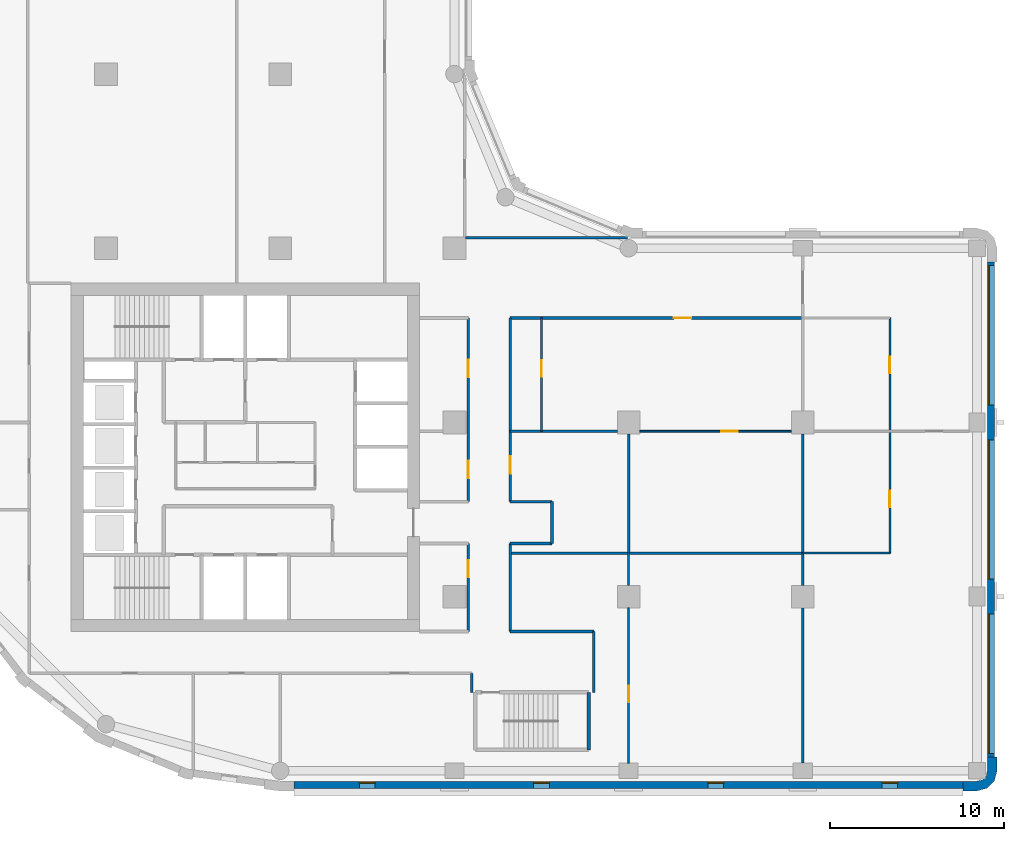
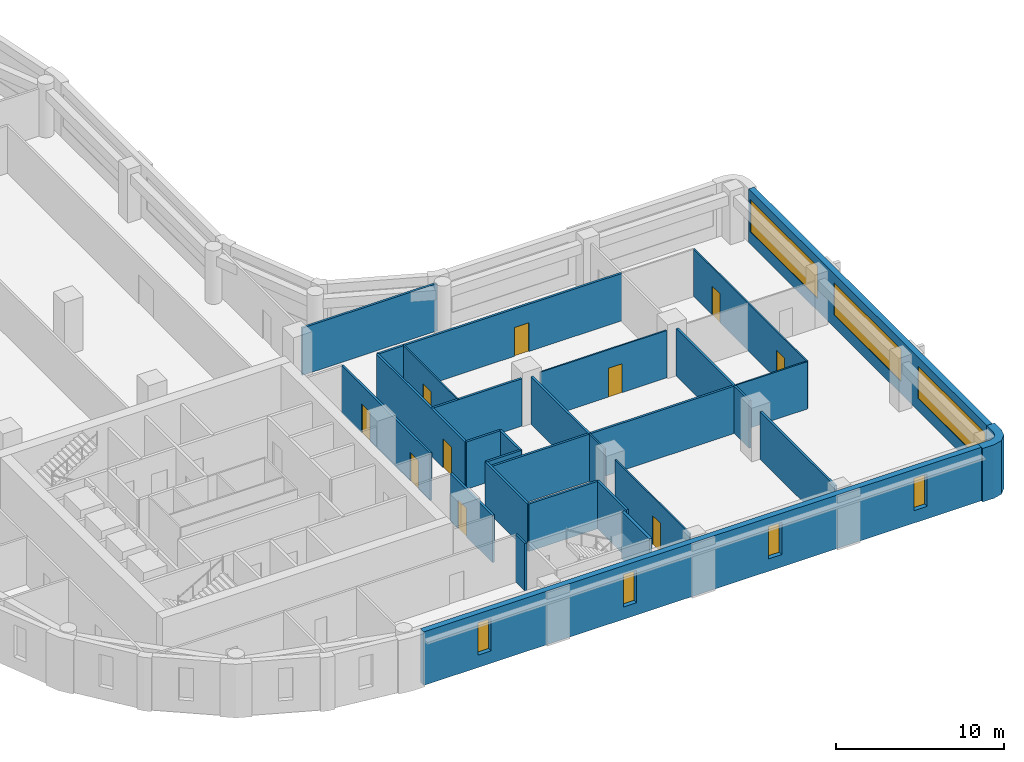
# One storey, part 4 of 9: 27 walls, 10 doors, 7 windows, 17 openings.
"""IFC4 building model written with IfcOpenShell, lengths in metres."""

from ifc_helpers import new_model, si_unit, direction, frame, frame_2d, origin, place, context, subcontext, project, spatial, polyline, rectangle, outline, extrude, material, layer, layer_set, type_object, element, fill, save


model = new_model("IFC4")

# Units and contexts
model_context = context("Model", 3, precision=1e-05, world=origin(), true_north=direction((0.0, 1.0)))
body_context = subcontext(model_context, "Body", "Model", "MODEL_VIEW")
ifc_project = project(units=[si_unit("LENGTHUNIT", "METRE"), si_unit("AREAUNIT", "SQUARE_METRE"), si_unit("VOLUMEUNIT", "CUBIC_METRE"), si_unit("PLANEANGLEUNIT", "RADIAN"), si_unit("MASSUNIT", "GRAM", prefix="KILO")], contexts=[model_context])

# Site, building, storey
site_placement = place(None, origin())
site = spatial("IfcSite", under=ifc_project, at=site_placement, CompositionType="ELEMENT")
building_placement = place(site_placement, origin())
building = spatial("IfcBuilding", under=site, at=building_placement, Name="Qaws Garden Tower", CompositionType="ELEMENT")
storey_placement = place(building_placement, frame((0.0, 0.0, 233.10009765625)))
storey = spatial("IfcBuildingStorey", under=building, at=storey_placement, Name="L57", CompositionType="ELEMENT", Elevation=233.10009765625)

# Wall
ifc_material_1 = material(Name="Buff clay facing brick masonry", Category="masonry")
ifc_layer_1 = layer(ifc_material_1, 0.550048828125)
ifc_layer_set_1 = layer_set([ifc_layer_1], Name="Buff clay facing brick masonry")
wall_type_1 = type_object("IfcWallType", Name="Buff brick corner pier 550 x 2400", PredefinedType="SOLIDWALL", material=ifc_layer_set_1)
wall_1_placement = place(storey_placement, origin())
element("IfcWall", 1, at=wall_1_placement, inside=storey, type_object=wall_type_1, Name="E-L57-pier-04", PredefinedType="SOLIDWALL", context=body_context, shape_type="SweptSolid", body=[
    extrude(outline(polyline([(59.199951171875, -1.0), (59.199951171875, -1.14990234375), (60.0, -1.14990234375), (60.574951171875, -0.995849609375), (60.995849609375, -0.574951171875), (61.14990234375, 0.0), (61.14990234375, 0.800048828125), (61.0, 0.800048828125), (60.60009765625, 0.800048828125), (60.60009765625, 0.0), (60.51953125, -0.300048828125), (60.300048828125, -0.51953125), (60.0, -0.60009765625), (59.199951171875, -0.60009765625), (59.199951171875, -1.0)])), origin(), (0.0, 0.0, 1.0), 3.89990234375),
])

# Wall, openings, windows
ifc_material_2 = material(Name="Buff clay facing brick masonry", Category="masonry")
ifc_layer_2 = layer(ifc_material_2, 0.39990234375)
ifc_layer_set_2 = layer_set([ifc_layer_2], Name="Buff clay facing brick masonry")
wall_type_2 = type_object("IfcWallType", Name="Buff brick infill wall 400", PredefinedType="SOLIDWALL", material=ifc_layer_set_2)
wall_2_placement = place(storey_placement, frame((20.800048828125, -0.800048828125, 0.0), z_axis=(0.0, 0.0, 1.0), x_axis=(1.0, 0.0, 0.0)))
wall_2 = element("IfcWall", 2, at=wall_2_placement, inside=storey, type_object=wall_type_2, Name="E-L57-infill-00", PredefinedType="SOLIDWALL", context=body_context, shape_type="SweptSolid", body=[
    extrude(rectangle(XDim=38.39990234375, YDim=0.39990234375, at=frame_2d((19.199951171875, 0.0))), origin(), (0.0, 0.0, 1.0), 3.89990234375),
])
opening_1_placement = place(wall_2_placement, frame((3.75, 0.0, 0.89990234375)))
opening_1 = element("IfcOpeningElement", 3, at=opening_1_placement, cuts=wall_2, Name="Opening W09", PredefinedType="OPENING", context=body_context, shape_type="SweptSolid", body=[
    extrude(rectangle(XDim=0.89990234375, YDim=2.35009765625, at=frame_2d((0.449951171875, 1.175048828125))), frame((0.0, 0.2099609375, 0.0), z_axis=(0.0, -1.0, 0.0), x_axis=(1.0, 0.0, 0.0)), (0.0, 0.0, 1.0), 0.419921875),
])
opening_2_placement = place(wall_2_placement, frame((13.75, 0.0, 0.89990234375)))
opening_2 = element("IfcOpeningElement", 4, at=opening_2_placement, cuts=wall_2, Name="Opening W09", PredefinedType="OPENING", context=body_context, shape_type="SweptSolid", body=[
    extrude(rectangle(XDim=0.89990234375, YDim=2.35009765625, at=frame_2d((0.449951171875, 1.175048828125))), frame((0.0, 0.2099609375, 0.0), z_axis=(0.0, -1.0, 0.0), x_axis=(1.0, 0.0, 0.0)), (0.0, 0.0, 1.0), 0.419921875),
])
opening_3_placement = place(wall_2_placement, frame((23.75, 0.0, 0.89990234375)))
opening_3 = element("IfcOpeningElement", 5, at=opening_3_placement, cuts=wall_2, Name="Opening W09", PredefinedType="OPENING", context=body_context, shape_type="SweptSolid", body=[
    extrude(rectangle(XDim=0.89990234375, YDim=2.35009765625, at=frame_2d((0.449951171875, 1.175048828125))), frame((0.0, 0.2099609375, 0.0), z_axis=(0.0, -1.0, 0.0), x_axis=(1.0, 0.0, 0.0)), (0.0, 0.0, 1.0), 0.419921875),
])
opening_4_placement = place(wall_2_placement, frame((33.75, 0.0, 0.89990234375)))
opening_4 = element("IfcOpeningElement", 6, at=opening_4_placement, cuts=wall_2, Name="Opening W09", PredefinedType="OPENING", context=body_context, shape_type="SweptSolid", body=[
    extrude(rectangle(XDim=0.89990234375, YDim=2.35009765625, at=frame_2d((0.449951171875, 1.175048828125))), frame((0.0, 0.2099609375, 0.0), z_axis=(0.0, -1.0, 0.0), x_axis=(1.0, 0.0, 0.0)), (0.0, 0.0, 1.0), 0.419921875),
])
ifc_material_3 = material(Name="Aluminium framed window, clear glazing", Category="aluminium")
window_type_1 = type_object("IfcWindowType", Name="Slit window 900 x 2350", PartitioningType="SINGLE_PANEL", PredefinedType="WINDOW", material=ifc_material_3)
window_1_placement = place(opening_1_placement, origin())
window_1 = element("IfcWindow", 7, at=window_1_placement, inside=storey, type_object=window_type_1, Name="E-L57-window-00-0", OverallHeight=2.35009765625, OverallWidth=0.89990234375, PartitioningType="SINGLE_PANEL", PredefinedType="WINDOW", context=body_context, shape_type="SweptSolid", body=[
    extrude(rectangle(XDim=0.89990234375, YDim=2.35009765625, at=frame_2d((0.449951171875, 1.175048828125))), frame((0.0, 0.159912109375, 0.0), z_axis=(0.0, -1.0, 0.0), x_axis=(1.0, 0.0, 0.0)), (0.0, 0.0, 1.0), 0.06005859375),
])
fill(opening_1, window_1)
window_2_placement = place(opening_2_placement, origin())
window_2 = element("IfcWindow", 8, at=window_2_placement, inside=storey, type_object=window_type_1, Name="E-L57-window-01-0", OverallHeight=2.35009765625, OverallWidth=0.89990234375, PartitioningType="SINGLE_PANEL", PredefinedType="WINDOW", context=body_context, shape_type="SweptSolid", body=[
    extrude(rectangle(XDim=0.89990234375, YDim=2.35009765625, at=frame_2d((0.449951171875, 1.175048828125))), frame((0.0, 0.159912109375, 0.0), z_axis=(0.0, -1.0, 0.0), x_axis=(1.0, 0.0, 0.0)), (0.0, 0.0, 1.0), 0.06005859375),
])
fill(opening_2, window_2)
window_3_placement = place(opening_3_placement, origin())
window_3 = element("IfcWindow", 9, at=window_3_placement, inside=storey, type_object=window_type_1, Name="E-L57-window-02-0", OverallHeight=2.35009765625, OverallWidth=0.89990234375, PartitioningType="SINGLE_PANEL", PredefinedType="WINDOW", context=body_context, shape_type="SweptSolid", body=[
    extrude(rectangle(XDim=0.89990234375, YDim=2.35009765625, at=frame_2d((0.449951171875, 1.175048828125))), frame((0.0, 0.159912109375, 0.0), z_axis=(0.0, -1.0, 0.0), x_axis=(1.0, 0.0, 0.0)), (0.0, 0.0, 1.0), 0.06005859375),
])
fill(opening_3, window_3)
window_4_placement = place(opening_4_placement, origin())
window_4 = element("IfcWindow", 10, at=window_4_placement, inside=storey, type_object=window_type_1, Name="E-L57-window-03-0", OverallHeight=2.35009765625, OverallWidth=0.89990234375, PartitioningType="SINGLE_PANEL", PredefinedType="WINDOW", context=body_context, shape_type="SweptSolid", body=[
    extrude(rectangle(XDim=0.89990234375, YDim=2.35009765625, at=frame_2d((0.449951171875, 1.175048828125))), frame((0.0, 0.159912109375, 0.0), z_axis=(0.0, -1.0, 0.0), x_axis=(1.0, 0.0, 0.0)), (0.0, 0.0, 1.0), 0.06005859375),
])
fill(opening_4, window_4)

wall_3_placement = place(storey_placement, frame((60.800048828125, 0.800048828125, 0.0), z_axis=(0.0, 0.0, 1.0), x_axis=(0.0, 1.0, 0.0)))
wall_3 = element("IfcWall", 11, at=wall_3_placement, inside=storey, type_object=wall_type_2, Name="E-L57-infill-04", PredefinedType="SOLIDWALL", context=body_context, shape_type="SweptSolid", body=[
    extrude(rectangle(XDim=28.39990234375, YDim=0.39990234375, at=frame_2d((14.199951171875, 0.0))), origin(), (0.0, 0.0, 1.0), 3.89990234375),
])
opening_5_placement = place(wall_3_placement, frame((0.199951171875, 0.0, 0.89990234375)))
opening_5 = element("IfcOpeningElement", 12, at=opening_5_placement, cuts=wall_3, Name="Opening W01", PredefinedType="OPENING", context=body_context, shape_type="SweptSolid", body=[
    extrude(rectangle(XDim=8.0, YDim=2.35009765625, at=frame_2d((4.0, 1.175048828125))), frame((0.0, 0.2099609375, 0.0), z_axis=(0.0, -1.0, 0.0), x_axis=(1.0, 0.0, 0.0)), (0.0, 0.0, 1.0), 0.419921875),
])
opening_6_placement = place(wall_3_placement, frame((10.199951171875, 0.0, 0.89990234375)))
opening_6 = element("IfcOpeningElement", 13, at=opening_6_placement, cuts=wall_3, Name="Opening W01", PredefinedType="OPENING", context=body_context, shape_type="SweptSolid", body=[
    extrude(rectangle(XDim=8.0, YDim=2.35009765625, at=frame_2d((4.0, 1.175048828125))), frame((0.0, 0.2099609375, 0.0), z_axis=(0.0, -1.0, 0.0), x_axis=(1.0, 0.0, 0.0)), (0.0, 0.0, 1.0), 0.419921875),
])
opening_7_placement = place(wall_3_placement, frame((20.199951171875, 0.0, 0.89990234375)))
opening_7 = element("IfcOpeningElement", 14, at=opening_7_placement, cuts=wall_3, Name="Opening W01", PredefinedType="OPENING", context=body_context, shape_type="SweptSolid", body=[
    extrude(rectangle(XDim=8.0, YDim=2.35009765625, at=frame_2d((4.0, 1.175048828125))), frame((0.0, 0.2099609375, 0.0), z_axis=(0.0, -1.0, 0.0), x_axis=(1.0, 0.0, 0.0)), (0.0, 0.0, 1.0), 0.419921875),
])
ifc_material_4 = material(Name="Aluminium framed window, clear glazing", Category="aluminium")
window_type_2 = type_object("IfcWindowType", Name="Ribbon window 8000 x 2350", PartitioningType="DOUBLE_PANEL_VERTICAL", PredefinedType="WINDOW", material=ifc_material_4)
window_5_placement = place(opening_5_placement, origin())
window_5 = element("IfcWindow", 15, at=window_5_placement, inside=storey, type_object=window_type_2, Name="E-L57-window-04-0", OverallHeight=2.35009765625, OverallWidth=8.0, PartitioningType="SINGLE_PANEL", PredefinedType="WINDOW", context=body_context, shape_type="SweptSolid", body=[
    extrude(rectangle(XDim=8.0, YDim=2.35009765625, at=frame_2d((4.0, 1.175048828125))), frame((0.0, 0.159912109375, 0.0), z_axis=(0.0, -1.0, 0.0), x_axis=(1.0, 0.0, 0.0)), (0.0, 0.0, 1.0), 0.06005859375),
])
fill(opening_5, window_5)
window_6_placement = place(opening_6_placement, origin())
window_6 = element("IfcWindow", 16, at=window_6_placement, inside=storey, type_object=window_type_2, Name="E-L57-window-05-0", OverallHeight=2.35009765625, OverallWidth=8.0, PartitioningType="SINGLE_PANEL", PredefinedType="WINDOW", context=body_context, shape_type="SweptSolid", body=[
    extrude(rectangle(XDim=8.0, YDim=2.35009765625, at=frame_2d((4.0, 1.175048828125))), frame((0.0, 0.159912109375, 0.0), z_axis=(0.0, -1.0, 0.0), x_axis=(1.0, 0.0, 0.0)), (0.0, 0.0, 1.0), 0.06005859375),
])
fill(opening_6, window_6)
window_7_placement = place(opening_7_placement, origin())
window_7 = element("IfcWindow", 17, at=window_7_placement, inside=storey, type_object=window_type_2, Name="E-L57-window-06-0", OverallHeight=2.35009765625, OverallWidth=8.0, PartitioningType="SINGLE_PANEL", PredefinedType="WINDOW", context=body_context, shape_type="SweptSolid", body=[
    extrude(rectangle(XDim=8.0, YDim=2.35009765625, at=frame_2d((4.0, 1.175048828125))), frame((0.0, 0.159912109375, 0.0), z_axis=(0.0, -1.0, 0.0), x_axis=(1.0, 0.0, 0.0)), (0.0, 0.0, 1.0), 0.06005859375),
])
fill(opening_7, window_7)

# Wall
ifc_material_5 = material(Name="Concrete C70", Category="concrete")
ifc_layer_3 = layer(ifc_material_5, 0.199951171875)
ifc_layer_set_3 = layer_set([ifc_layer_3], Name="Concrete C70")
wall_type_3 = type_object("IfcWallType", Name="Core shaft wall 200 C70", PredefinedType="SHEAR", material=ifc_layer_set_3)
wall_4_placement = place(storey_placement, frame((37.699951171875, 1.199951171875, 0.0), z_axis=(0.0, 0.0, 1.0), x_axis=(0.0, 1.0, 0.0)))
element("IfcWall", 18, at=wall_4_placement, inside=storey, type_object=wall_type_3, Name="Shaft wall", PredefinedType="SHEAR", context=body_context, shape_type="SweptSolid", body=[
    extrude(rectangle(XDim=3.300048828125, YDim=0.199951171875, at=frame_2d((1.64990234375, 0.0))), origin(), (0.0, 0.0, 1.0), 3.449951171875),
])

# Wall, opening, door
ifc_material_6 = material(Name="Gypsum board partition")
ifc_layer_4 = layer(ifc_material_6, 0.10009765625)
ifc_layer_set_4 = layer_set([ifc_layer_4], Name="Gypsum board partition")
wall_type_4 = type_object("IfcWallType", Name="PARTITION 100", PredefinedType="PARTITIONING", material=ifc_layer_set_4)
wall_5_placement = place(storey_placement, frame((35.0, 19.5, 0.0), z_axis=(0.0, 0.0, 1.0), x_axis=(0.0, 1.0, 0.0)))
wall_5 = element("IfcWall", 19, at=wall_5_placement, inside=storey, type_object=wall_type_4, Name="O-L57-wall-001", PredefinedType="PARTITIONING", context=body_context, shape_type="SweptSolid", body=[
    extrude(rectangle(XDim=6.5, YDim=0.10009765625, at=frame_2d((3.25, 0.0))), origin(), (0.0, 0.0, 1.0), 3.449951171875),
])
opening_8_placement = place(wall_5_placement, frame((3.125, 0.0, 0.0)))
opening_8 = element("IfcOpeningElement", 20, at=opening_8_placement, cuts=wall_5, Name="Opening B921", PredefinedType="OPENING", context=body_context, shape_type="SweptSolid", body=[
    extrude(rectangle(XDim=0.949951171875, YDim=2.10009765625, at=frame_2d((0.47509765625, 1.050048828125))), frame((0.0, 0.06005859375, 0.0), z_axis=(0.0, -1.0, 0.0), x_axis=(1.0, 0.0, 0.0)), (0.0, 0.0, 1.0), 0.1201171875),
])
ifc_material_7 = material(Name="Timber and glass door leaf", Category="wood")
door_type_1 = type_object("IfcDoorType", Name="GLAZED DOOR 950 X 2100", OperationType="SINGLE_SWING_LEFT", PredefinedType="DOOR", material=ifc_material_7)
door_1_placement = place(opening_8_placement, origin())
door_1 = element("IfcDoor", 21, at=door_1_placement, inside=storey, type_object=door_type_1, Name="O-L57-door-021", OperationType="SINGLE_SWING_RIGHT", OverallHeight=2.10009765625, OverallWidth=0.949951171875, PredefinedType="DOOR", context=body_context, shape_type="SweptSolid", body=[
    extrude(rectangle(XDim=0.949951171875, YDim=2.10009765625, at=frame_2d((0.47509765625, 1.050048828125))), frame((0.0, 0.02490234375, 0.0), z_axis=(0.0, -1.0, 0.0), x_axis=(1.0, 0.0, 0.0)), (0.0, 0.0, 1.0), 0.050048828125),
])
fill(opening_8, door_1)

wall_6_placement = place(storey_placement, frame((40.0, 0.449951171875, 0.0), z_axis=(0.0, 0.0, 1.0), x_axis=(0.0, 1.0, 0.0)))
wall_6 = element("IfcWall", 22, at=wall_6_placement, inside=storey, type_object=wall_type_4, Name="O-L57-wall-002", PredefinedType="PARTITIONING", context=body_context, shape_type="SweptSolid", body=[
    extrude(rectangle(XDim=8.900146484375, YDim=0.10009765625, at=frame_2d((4.4501953125, 0.0))), origin(), (0.0, 0.0, 1.0), 3.449951171875),
])
opening_9_placement = place(wall_6_placement, frame((3.47509765625, 0.0, 0.0)))
opening_9 = element("IfcOpeningElement", 23, at=opening_9_placement, cuts=wall_6, Name="Opening B919", PredefinedType="OPENING", context=body_context, shape_type="SweptSolid", body=[
    extrude(rectangle(XDim=0.949951171875, YDim=2.10009765625, at=frame_2d((0.47509765625, 1.050048828125))), frame((0.0, 0.06005859375, 0.0), z_axis=(0.0, -1.0, 0.0), x_axis=(1.0, 0.0, 0.0)), (0.0, 0.0, 1.0), 0.1201171875),
])
door_2_placement = place(opening_9_placement, origin())
door_2 = element("IfcDoor", 24, at=door_2_placement, inside=storey, type_object=door_type_1, Name="O-L57-door-019", OperationType="SINGLE_SWING_RIGHT", OverallHeight=2.10009765625, OverallWidth=0.949951171875, PredefinedType="DOOR", context=body_context, shape_type="SweptSolid", body=[
    extrude(rectangle(XDim=0.949951171875, YDim=2.10009765625, at=frame_2d((0.47509765625, 1.050048828125))), frame((0.0, 0.02490234375, 0.0), z_axis=(0.0, -1.0, 0.0), x_axis=(1.0, 0.0, 0.0)), (0.0, 0.0, 1.0), 0.050048828125),
])
fill(opening_9, door_2)

# Wall
wall_7_placement = place(storey_placement, frame((40.0, 10.64990234375, 0.0), z_axis=(0.0, 0.0, 1.0), x_axis=(0.0, 1.0, 0.0)))
element("IfcWall", 25, at=wall_7_placement, inside=storey, type_object=wall_type_4, Name="O-L57-wall-003", PredefinedType="PARTITIONING", context=body_context, shape_type="SweptSolid", body=[
    extrude(rectangle(XDim=1.85009765625, YDim=0.10009765625, at=frame_2d((0.925048828125, 0.0))), origin(), (0.0, 0.0, 1.0), 3.449951171875),
])

# Wall, openings, doors
wall_8_placement = place(storey_placement, frame((55.0, 12.5, 0.0), z_axis=(0.0, 0.0, 1.0), x_axis=(0.0, 1.0, 0.0)))
wall_8 = element("IfcWall", 26, at=wall_8_placement, inside=storey, type_object=wall_type_4, Name="O-L57-wall-004", PredefinedType="PARTITIONING", context=body_context, shape_type="SweptSolid", body=[
    extrude(rectangle(XDim=13.5, YDim=0.10009765625, at=frame_2d((6.75, 0.0))), origin(), (0.0, 0.0, 1.0), 3.449951171875),
])
opening_10_placement = place(wall_8_placement, frame((10.324951171875, 0.0, 0.0)))
opening_10 = element("IfcOpeningElement", 27, at=opening_10_placement, cuts=wall_8, Name="Opening B922", PredefinedType="OPENING", context=body_context, shape_type="SweptSolid", body=[
    extrude(rectangle(XDim=0.949951171875, YDim=2.10009765625, at=frame_2d((0.47509765625, 1.050048828125))), frame((0.0, 0.06005859375, 0.0), z_axis=(0.0, -1.0, 0.0), x_axis=(1.0, 0.0, 0.0)), (0.0, 0.0, 1.0), 0.1201171875),
])
opening_11_placement = place(wall_8_placement, frame((2.625, 0.0, 0.0)))
opening_11 = element("IfcOpeningElement", 28, at=opening_11_placement, cuts=wall_8, Name="Opening B923", PredefinedType="OPENING", context=body_context, shape_type="SweptSolid", body=[
    extrude(rectangle(XDim=0.949951171875, YDim=2.10009765625, at=frame_2d((0.47509765625, 1.050048828125))), frame((0.0, 0.06005859375, 0.0), z_axis=(0.0, -1.0, 0.0), x_axis=(1.0, 0.0, 0.0)), (0.0, 0.0, 1.0), 0.1201171875),
])
door_3_placement = place(opening_10_placement, origin())
door_3 = element("IfcDoor", 29, at=door_3_placement, inside=storey, type_object=door_type_1, Name="O-L57-door-022", OperationType="SINGLE_SWING_RIGHT", OverallHeight=2.10009765625, OverallWidth=0.949951171875, PredefinedType="DOOR", context=body_context, shape_type="SweptSolid", body=[
    extrude(rectangle(XDim=0.949951171875, YDim=2.10009765625, at=frame_2d((0.47509765625, 1.050048828125))), frame((0.0, 0.02490234375, 0.0), z_axis=(0.0, -1.0, 0.0), x_axis=(1.0, 0.0, 0.0)), (0.0, 0.0, 1.0), 0.050048828125),
])
fill(opening_10, door_3)
door_4_placement = place(opening_11_placement, origin())
door_4 = element("IfcDoor", 30, at=door_4_placement, inside=storey, type_object=door_type_1, Name="O-L57-door-023", OperationType="SINGLE_SWING_RIGHT", OverallHeight=2.10009765625, OverallWidth=0.949951171875, PredefinedType="DOOR", context=body_context, shape_type="SweptSolid", body=[
    extrude(rectangle(XDim=0.949951171875, YDim=2.10009765625, at=frame_2d((0.47509765625, 1.050048828125))), frame((0.0, 0.02490234375, 0.0), z_axis=(0.0, -1.0, 0.0), x_axis=(1.0, 0.0, 0.0)), (0.0, 0.0, 1.0), 0.050048828125),
])
fill(opening_11, door_4)

# Wall
wall_9_placement = place(storey_placement, frame((50.0, 12.5, 0.0), z_axis=(0.0, 0.0, 1.0), x_axis=(1.0, 0.0, 0.0)))
element("IfcWall", 31, at=wall_9_placement, inside=storey, type_object=wall_type_4, Name="O-L57-wall-005", PredefinedType="PARTITIONING", context=body_context, shape_type="SweptSolid", body=[
    extrude(rectangle(XDim=5.0, YDim=0.10009765625, at=frame_2d((2.5, 0.0))), origin(), (0.0, 0.0, 1.0), 3.449951171875),
])

# Wall, opening, door
wall_10_placement = place(storey_placement, frame((40.64990234375, 19.5, 0.0), z_axis=(0.0, 0.0, 1.0), x_axis=(1.0, 0.0, 0.0)))
wall_10 = element("IfcWall", 32, at=wall_10_placement, inside=storey, type_object=wall_type_4, Name="O-L57-wall-006", PredefinedType="PARTITIONING", context=body_context, shape_type="SweptSolid", body=[
    extrude(rectangle(XDim=8.7001953125, YDim=0.10009765625, at=frame_2d((4.35009765625, 0.0))), origin(), (0.0, 0.0, 1.0), 3.449951171875),
])
opening_12_placement = place(wall_10_placement, frame((4.675048828125, 0.0, 0.0)))
opening_12 = element("IfcOpeningElement", 33, at=opening_12_placement, cuts=wall_10, Name="Opening B918", PredefinedType="OPENING", context=body_context, shape_type="SweptSolid", body=[
    extrude(rectangle(XDim=0.949951171875, YDim=2.10009765625, at=frame_2d((0.47509765625, 1.050048828125))), frame((0.0, 0.06005859375, 0.0), z_axis=(0.0, -1.0, 0.0), x_axis=(1.0, 0.0, 0.0)), (0.0, 0.0, 1.0), 0.1201171875),
])
door_5_placement = place(opening_12_placement, frame((0.949951171875, 0.0, 0.0), z_axis=(0.0, 0.0, 1.0), x_axis=(-1.0, 0.0, 0.0)))
door_5 = element("IfcDoor", 34, at=door_5_placement, inside=storey, type_object=door_type_1, Name="O-L57-door-018", OperationType="SINGLE_SWING_RIGHT", OverallHeight=2.10009765625, OverallWidth=0.949951171875, PredefinedType="DOOR", context=body_context, shape_type="SweptSolid", body=[
    extrude(rectangle(XDim=0.949951171875, YDim=2.10009765625, at=frame_2d((0.47509765625, 1.050048828125))), frame((0.0, 0.02490234375, 0.0), z_axis=(0.0, -1.0, 0.0), x_axis=(1.0, 0.0, 0.0)), (0.0, 0.0, 1.0), 0.050048828125),
])
fill(opening_12, door_5)

ifc_material_8 = material(Name="Gypsum board partition")
ifc_layer_5 = layer(ifc_material_8, 0.14990234375)
ifc_layer_set_5 = layer_set([ifc_layer_5], Name="Gypsum board partition")
wall_type_5 = type_object("IfcWallType", Name="PARTITION 150 EI 60", PredefinedType="PARTITIONING", material=ifc_layer_set_5)
wall_11_placement = place(storey_placement, frame((30.800048828125, 8.0009765625, 0.0), z_axis=(0.0, 0.0, 1.0), x_axis=(0.0, 1.0, 0.0)))
wall_11 = element("IfcWall", 35, at=wall_11_placement, inside=storey, type_object=wall_type_5, Name="O-L57-wall-019", PredefinedType="PARTITIONING", context=body_context, shape_type="SweptSolid", body=[
    extrude(rectangle(XDim=5.048095703125, YDim=0.14990234375, at=frame_2d((2.52392578125, 0.0))), origin(), (0.0, 0.0, 1.0), 3.449951171875),
])
opening_13_placement = place(wall_11_placement, frame((3.10009765625, 0.0, 0.0)))
opening_13 = element("IfcOpeningElement", 36, at=opening_13_placement, cuts=wall_11, Name="Opening B904", PredefinedType="OPENING", context=body_context, shape_type="SweptSolid", body=[
    extrude(rectangle(XDim=1.0, YDim=2.10009765625, at=frame_2d((0.5, 1.050048828125))), frame((0.0, 0.0849609375, 0.0), z_axis=(0.0, -1.0, 0.0), x_axis=(1.0, 0.0, 0.0)), (0.0, 0.0, 1.0), 0.169921875),
])
ifc_material_9 = material(Name="Timber door leaf", Category="wood")
door_type_2 = type_object("IfcDoorType", Name="TENANCY ENTRANCE DOOR 1000 X 2100", OperationType="SINGLE_SWING_LEFT", PredefinedType="DOOR", material=ifc_material_9)
door_6_placement = place(opening_13_placement, origin())
door_6 = element("IfcDoor", 37, at=door_6_placement, inside=storey, type_object=door_type_2, Name="O-L57-door-004", OperationType="SINGLE_SWING_RIGHT", OverallHeight=2.10009765625, OverallWidth=1.0, PredefinedType="DOOR", context=body_context, shape_type="SweptSolid", body=[
    extrude(rectangle(XDim=1.0, YDim=2.10009765625, at=frame_2d((0.5, 1.050048828125))), frame((0.0, 0.02490234375, 0.0), z_axis=(0.0, -1.0, 0.0), x_axis=(1.0, 0.0, 0.0)), (0.0, 0.0, 1.0), 0.050048828125),
])
fill(opening_13, door_6)

# Wall, openings, doors
wall_12_placement = place(storey_placement, frame((30.800048828125, 15.449951171875, 0.0), z_axis=(0.0, 0.0, 1.0), x_axis=(0.0, 1.0, 0.0)))
wall_12 = element("IfcWall", 38, at=wall_12_placement, inside=storey, type_object=wall_type_5, Name="O-L57-wall-020", PredefinedType="PARTITIONING", context=body_context, shape_type="SweptSolid", body=[
    extrude(rectangle(XDim=10.550048828125, YDim=0.14990234375, at=frame_2d((5.27490234375, 0.0))), origin(), (0.0, 0.0, 1.0), 3.449951171875),
])
opening_14_placement = place(wall_12_placement, frame((7.14990234375, 0.0, 0.0)))
opening_14 = element("IfcOpeningElement", 39, at=opening_14_placement, cuts=wall_12, Name="Opening B914", PredefinedType="OPENING", context=body_context, shape_type="SweptSolid", body=[
    extrude(rectangle(XDim=1.0, YDim=2.10009765625, at=frame_2d((0.5, 1.050048828125))), frame((0.0, 0.0849609375, 0.0), z_axis=(0.0, -1.0, 0.0), x_axis=(1.0, 0.0, 0.0)), (0.0, 0.0, 1.0), 0.169921875),
])
opening_15_placement = place(wall_12_placement, frame((1.35009765625, 0.0, 0.0)))
opening_15 = element("IfcOpeningElement", 40, at=opening_15_placement, cuts=wall_12, Name="Opening B917", PredefinedType="OPENING", context=body_context, shape_type="SweptSolid", body=[
    extrude(rectangle(XDim=1.0, YDim=2.10009765625, at=frame_2d((0.5, 1.050048828125))), frame((0.0, 0.0849609375, 0.0), z_axis=(0.0, -1.0, 0.0), x_axis=(1.0, 0.0, 0.0)), (0.0, 0.0, 1.0), 0.169921875),
])
door_7_placement = place(opening_14_placement, origin())
door_7 = element("IfcDoor", 41, at=door_7_placement, inside=storey, type_object=door_type_2, Name="O-L57-door-014", OperationType="SINGLE_SWING_RIGHT", OverallHeight=2.10009765625, OverallWidth=1.0, PredefinedType="DOOR", context=body_context, shape_type="SweptSolid", body=[
    extrude(rectangle(XDim=1.0, YDim=2.10009765625, at=frame_2d((0.5, 1.050048828125))), frame((0.0, 0.02490234375, 0.0), z_axis=(0.0, -1.0, 0.0), x_axis=(1.0, 0.0, 0.0)), (0.0, 0.0, 1.0), 0.050048828125),
])
fill(opening_14, door_7)
door_8_placement = place(opening_15_placement, origin())
door_8 = element("IfcDoor", 42, at=door_8_placement, inside=storey, type_object=door_type_2, Name="O-L57-door-017", OperationType="SINGLE_SWING_LEFT", OverallHeight=2.10009765625, OverallWidth=1.0, PredefinedType="DOOR", context=body_context, shape_type="SweptSolid", body=[
    extrude(rectangle(XDim=1.0, YDim=2.10009765625, at=frame_2d((0.5, 1.050048828125))), frame((0.0, 0.02490234375, 0.0), z_axis=(0.0, -1.0, 0.0), x_axis=(1.0, 0.0, 0.0)), (0.0, 0.0, 1.0), 0.050048828125),
])
fill(opening_15, door_8)

# Walls
wall_13_placement = place(storey_placement, frame((31.0, 4.5, 0.0), z_axis=(0.0, 0.0, 1.0), x_axis=(0.0, 1.0, 0.0)))
element("IfcWall", 43, at=wall_13_placement, inside=storey, type_object=wall_type_5, Name="O-L57-wall-021", PredefinedType="PARTITIONING", context=body_context, shape_type="SweptSolid", body=[
    extrude(rectangle(XDim=1.10009765625, YDim=0.14990234375, at=frame_2d((0.550048828125, 0.0))), origin(), (0.0, 0.0, 1.0), 3.449951171875),
])
wall_14_placement = place(storey_placement, frame((33.199951171875, 8.0, 0.0), z_axis=(0.0, 0.0, 1.0), x_axis=(0.0, 1.0, 0.0)))
element("IfcWall", 44, at=wall_14_placement, inside=storey, type_object=wall_type_5, Name="O-L57-wall-022", PredefinedType="PARTITIONING", context=body_context, shape_type="SweptSolid", body=[
    extrude(rectangle(XDim=5.050048828125, YDim=0.14990234375, at=frame_2d((2.52490234375, 0.0))), origin(), (0.0, 0.0, 1.0), 3.449951171875),
])

# Wall, opening, door
wall_15_placement = place(storey_placement, frame((33.199951171875, 15.449951171875, 0.0), z_axis=(0.0, 0.0, 1.0), x_axis=(0.0, 1.0, 0.0)))
wall_15 = element("IfcWall", 45, at=wall_15_placement, inside=storey, type_object=wall_type_5, Name="O-L57-wall-023", PredefinedType="PARTITIONING", context=body_context, shape_type="SweptSolid", body=[
    extrude(rectangle(XDim=10.550048828125, YDim=0.14990234375, at=frame_2d((5.27490234375, 0.0))), origin(), (0.0, 0.0, 1.0), 3.449951171875),
])
opening_16_placement = place(wall_15_placement, frame((1.60009765625, 0.0, 0.0)))
opening_16 = element("IfcOpeningElement", 46, at=opening_16_placement, cuts=wall_15, Name="Opening B916", PredefinedType="OPENING", context=body_context, shape_type="SweptSolid", body=[
    extrude(rectangle(XDim=1.0, YDim=2.10009765625, at=frame_2d((0.5, 1.050048828125))), frame((0.0, 0.0849609375, 0.0), z_axis=(0.0, -1.0, 0.0), x_axis=(1.0, 0.0, 0.0)), (0.0, 0.0, 1.0), 0.169921875),
])
door_9_placement = place(opening_16_placement, frame((1.0, 0.0, 0.0), z_axis=(0.0, 0.0, 1.0), x_axis=(-1.0, 0.0, 0.0)))
door_9 = element("IfcDoor", 47, at=door_9_placement, inside=storey, type_object=door_type_2, Name="O-L57-door-016", OperationType="SINGLE_SWING_LEFT", OverallHeight=2.10009765625, OverallWidth=1.0, PredefinedType="DOOR", context=body_context, shape_type="SweptSolid", body=[
    extrude(rectangle(XDim=1.0, YDim=2.10009765625, at=frame_2d((0.5, 1.050048828125))), frame((0.0, 0.02490234375, 0.0), z_axis=(0.0, -1.0, 0.0), x_axis=(1.0, 0.0, 0.0)), (0.0, 0.0, 1.0), 0.050048828125),
])
fill(opening_16, door_9)

# Walls
wall_16_placement = place(storey_placement, frame((35.60009765625, 13.050048828125, 0.0), z_axis=(0.0, 0.0, 1.0), x_axis=(0.0, 1.0, 0.0)))
element("IfcWall", 48, at=wall_16_placement, inside=storey, type_object=wall_type_5, Name="O-L57-wall-024", PredefinedType="PARTITIONING", context=body_context, shape_type="SweptSolid", body=[
    extrude(rectangle(XDim=2.39990234375, YDim=0.14990234375, at=frame_2d((1.199951171875, 0.0))), origin(), (0.0, 0.0, 1.0), 3.449951171875),
])
wall_17_placement = place(storey_placement, frame((38.0, 4.5, 0.0), z_axis=(0.0, 0.0, 1.0), x_axis=(0.0, 1.0, 0.0)))
element("IfcWall", 49, at=wall_17_placement, inside=storey, type_object=wall_type_5, Name="O-L57-wall-025", PredefinedType="PARTITIONING", context=body_context, shape_type="SweptSolid", body=[
    extrude(rectangle(XDim=3.5, YDim=0.14990234375, at=frame_2d((1.75, 0.0))), origin(), (0.0, 0.0, 1.0), 3.449951171875),
])
wall_18_placement = place(storey_placement, frame((40.0, 12.5, 0.0), z_axis=(0.0, 0.0, 1.0), x_axis=(0.0, 1.0, 0.0)))
element("IfcWall", 50, at=wall_18_placement, inside=storey, type_object=wall_type_5, Name="O-L57-wall-026", PredefinedType="PARTITIONING", context=body_context, shape_type="SweptSolid", body=[
    extrude(rectangle(XDim=6.85009765625, YDim=0.14990234375, at=frame_2d((3.425048828125, 0.0))), origin(), (0.0, 0.0, 1.0), 3.449951171875),
])
wall_19_placement = place(storey_placement, frame((50.0, 0.449951171875, 0.0), z_axis=(0.0, 0.0, 1.0), x_axis=(0.0, 1.0, 0.0)))
element("IfcWall", 51, at=wall_19_placement, inside=storey, type_object=wall_type_5, Name="O-L57-wall-027", PredefinedType="PARTITIONING", context=body_context, shape_type="SweptSolid", body=[
    extrude(rectangle(XDim=8.900146484375, YDim=0.14990234375, at=frame_2d((4.4501953125, 0.0))), origin(), (0.0, 0.0, 1.0), 3.449951171875),
])
wall_20_placement = place(storey_placement, frame((50.0, 10.64990234375, 0.0), z_axis=(0.0, 0.0, 1.0), x_axis=(0.0, 1.0, 0.0)))
element("IfcWall", 52, at=wall_20_placement, inside=storey, type_object=wall_type_5, Name="O-L57-wall-028", PredefinedType="PARTITIONING", context=body_context, shape_type="SweptSolid", body=[
    extrude(rectangle(XDim=8.7001953125, YDim=0.14990234375, at=frame_2d((4.35009765625, 0.0))), origin(), (0.0, 0.0, 1.0), 3.449951171875),
])
wall_21_placement = place(storey_placement, frame((33.199951171875, 8.0, 0.0), z_axis=(0.0, 0.0, 1.0), x_axis=(1.0, 0.0, 0.0)))
element("IfcWall", 53, at=wall_21_placement, inside=storey, type_object=wall_type_5, Name="O-L57-wall-032", PredefinedType="PARTITIONING", context=body_context, shape_type="SweptSolid", body=[
    extrude(rectangle(XDim=4.800048828125, YDim=0.14990234375, at=frame_2d((2.39990234375, 0.0))), origin(), (0.0, 0.0, 1.0), 3.449951171875),
])
wall_22_placement = place(storey_placement, frame((33.199951171875, 12.5, 0.0), z_axis=(0.0, 0.0, 1.0), x_axis=(1.0, 0.0, 0.0)))
element("IfcWall", 54, at=wall_22_placement, inside=storey, type_object=wall_type_5, Name="O-L57-wall-033", PredefinedType="PARTITIONING", context=body_context, shape_type="SweptSolid", body=[
    extrude(rectangle(XDim=16.800048828125, YDim=0.14990234375, at=frame_2d((8.39990234375, 0.0))), origin(), (0.0, 0.0, 1.0), 3.449951171875),
])
for number, where, z_axis, x_axis, name in (
    (55, (33.199951171875, 13.050048828125, 0.0), (0.0, 0.0, 1.0), (1.0, 0.0, 0.0), "O-L57-wall-035"),
    (56, (33.199951171875, 15.449951171875, 0.0), (0.0, 0.0, 1.0), (1.0, 0.0, 0.0), "O-L57-wall-038"),
):
    element("IfcWall", number, at=place(storey_placement, frame(where, z_axis=z_axis, x_axis=x_axis)), inside=storey, type_object=wall_type_5, Name=name, PredefinedType="PARTITIONING", context=body_context, shape_type="SweptSolid", body=[
        extrude(rectangle(XDim=2.400146484375, YDim=0.14990234375, at=frame_2d((1.2001953125, 0.0))), origin(), (0.0, 0.0, 1.0), 3.449951171875),
    ])
wall_23_placement = place(storey_placement, frame((33.199951171875, 19.5, 0.0), z_axis=(0.0, 0.0, 1.0), x_axis=(1.0, 0.0, 0.0)))
element("IfcWall", 57, at=wall_23_placement, inside=storey, type_object=wall_type_5, Name="O-L57-wall-040", PredefinedType="PARTITIONING", context=body_context, shape_type="SweptSolid", body=[
    extrude(rectangle(XDim=6.150146484375, YDim=0.14990234375, at=frame_2d((3.0751953125, 0.0))), origin(), (0.0, 0.0, 1.0), 3.449951171875),
])

# Wall, opening, door
wall_24_placement = place(storey_placement, frame((33.199951171875, 26.0, 0.0), z_axis=(0.0, 0.0, 1.0), x_axis=(1.0, 0.0, 0.0)))
wall_24 = element("IfcWall", 58, at=wall_24_placement, inside=storey, type_object=wall_type_5, Name="O-L57-wall-043", PredefinedType="PARTITIONING", context=body_context, shape_type="SweptSolid", body=[
    extrude(rectangle(XDim=16.800048828125, YDim=0.14990234375, at=frame_2d((8.39990234375, 0.0))), origin(), (0.0, 0.0, 1.0), 3.449951171875),
])
opening_17_placement = place(wall_24_placement, frame((9.39990234375, 0.0, 0.0)))
opening_17 = element("IfcOpeningElement", 59, at=opening_17_placement, cuts=wall_24, Name="Opening B915", PredefinedType="OPENING", context=body_context, shape_type="SweptSolid", body=[
    extrude(rectangle(XDim=1.0, YDim=2.10009765625, at=frame_2d((0.5, 1.050048828125))), frame((0.0, 0.0849609375, 0.0), z_axis=(0.0, -1.0, 0.0), x_axis=(1.0, 0.0, 0.0)), (0.0, 0.0, 1.0), 0.169921875),
])
door_10_placement = place(opening_17_placement, frame((1.0, 0.0, 0.0), z_axis=(0.0, 0.0, 1.0), x_axis=(-1.0, 0.0, 0.0)))
door_10 = element("IfcDoor", 60, at=door_10_placement, inside=storey, type_object=door_type_2, Name="O-L57-door-015", OperationType="SINGLE_SWING_RIGHT", OverallHeight=2.10009765625, OverallWidth=1.0, PredefinedType="DOOR", context=body_context, shape_type="SweptSolid", body=[
    extrude(rectangle(XDim=1.0, YDim=2.10009765625, at=frame_2d((0.5, 1.050048828125))), frame((0.0, 0.02490234375, 0.0), z_axis=(0.0, -1.0, 0.0), x_axis=(1.0, 0.0, 0.0)), (0.0, 0.0, 1.0), 0.050048828125),
])
fill(opening_17, door_10)

# Wall
wall_25_placement = place(storey_placement, frame((30.64990234375, 30.60009765625, 0.0), z_axis=(0.0, 0.0, 1.0), x_axis=(1.0, 0.0, 0.0)))
element("IfcWall", 61, at=wall_25_placement, inside=storey, type_object=wall_type_5, Name="O-L57-wall-045", PredefinedType="PARTITIONING", context=body_context, shape_type="SweptSolid", body=[
    extrude(rectangle(XDim=9.288330078125, YDim=0.14990234375, at=frame_2d((4.64404296875, 0.0))), origin(), (0.0, 0.0, 1.0), 3.449951171875),
])

save(model, "model.ifc")
